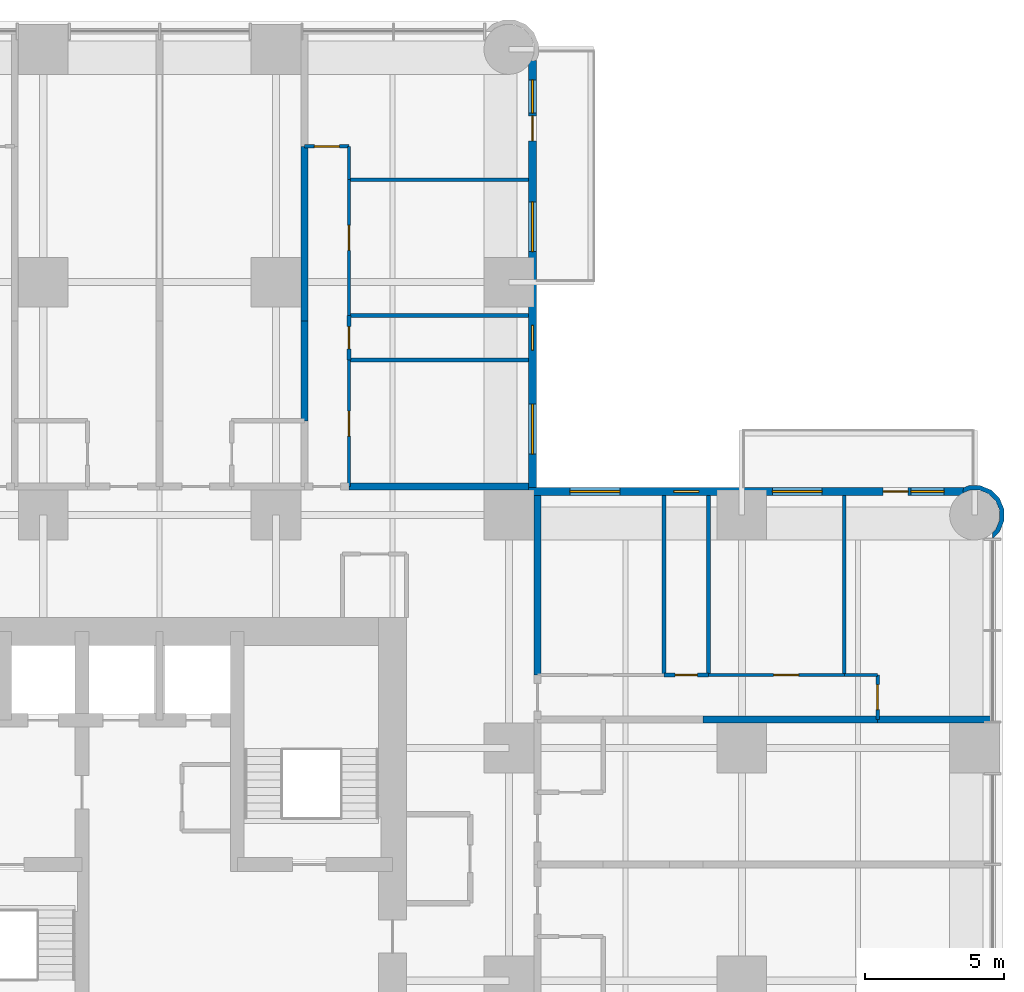
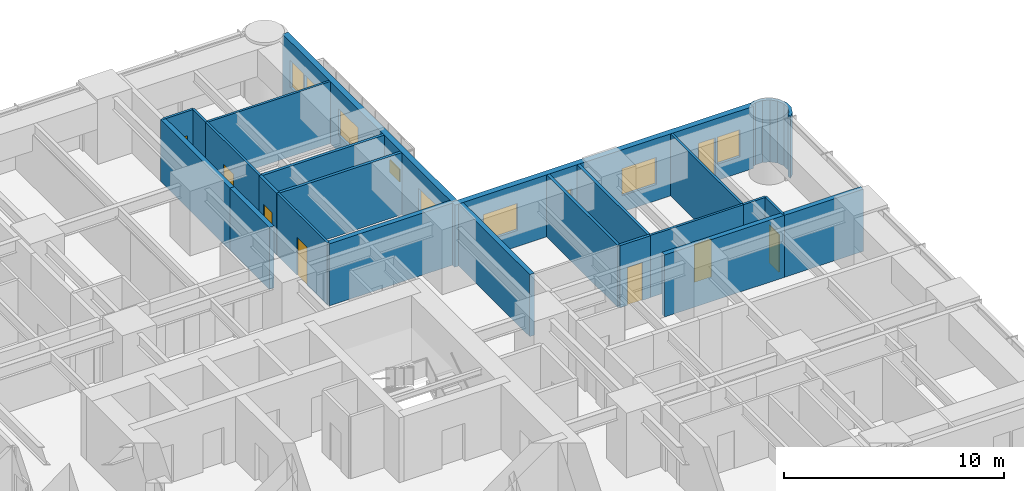
# One storey, part 14 of 17: 24 walls, 9 doors, 8 windows, 17 openings.
"""IFC4 building model written with IfcOpenShell, lengths in metres."""

from ifc_helpers import new_model, si_unit, direction, frame, frame_2d, origin, place, context, subcontext, project, spatial, polyline, rectangle, outline, extrude, material, layer, layer_set, type_object, element, fill, save


model = new_model("IFC4")

# Units and contexts
model_context = context("Model", 3, precision=1e-05, world=origin(), true_north=direction((0.0, 1.0)))
body_context = subcontext(model_context, "Body", "Model", "MODEL_VIEW")
ifc_project = project(units=[si_unit("LENGTHUNIT", "METRE"), si_unit("AREAUNIT", "SQUARE_METRE"), si_unit("VOLUMEUNIT", "CUBIC_METRE"), si_unit("PLANEANGLEUNIT", "RADIAN"), si_unit("MASSUNIT", "GRAM", prefix="KILO")], contexts=[model_context])

# Site, building, storey
site_placement = place(None, origin())
site = spatial("IfcSite", under=ifc_project, at=site_placement, CompositionType="ELEMENT")
building_placement = place(site_placement, origin())
building = spatial("IfcBuilding", under=site, at=building_placement, Name="Torre Alcanfor", CompositionType="ELEMENT")
storey_placement = place(building_placement, frame((0.0, 0.0, 88.5)))
storey = spatial("IfcBuildingStorey", under=building, at=storey_placement, Name="L22", CompositionType="ELEMENT", Elevation=88.5)

# Walls
ifc_material_1 = material(Name="Concrete block masonry, hollow blocks NMX-C-404 9 MPa", Category="masonry")
ifc_layer_1 = layer(ifc_material_1, 0.25)
ifc_layer_set_1 = layer_set([ifc_layer_1], Name="Apartment entrance wall 250 EI 60")
wall_type_1 = type_object("IfcWallType", Name="Apartment entrance wall 250 EI 60", PredefinedType="PARTITIONING", material=ifc_layer_set_1)
for number, where, z_axis, x_axis, name in (
    (1, (36.22900390625, 43.02490234375, 0.0), (0.0, 0.0, 1.0), (1.0, 0.0, 0.0), "Partition L22-CORR / L22-N2B-BED2"),
    (2, (43.02490234375, 42.699951171875, 0.0), (0.0, 0.0, 1.0), (0.0, -1.0, 0.0), "Partition L22-CORR / L22-E1B-BED2"),
):
    element("IfcWall", number, at=place(storey_placement, frame(where, z_axis=z_axis, x_axis=x_axis)), inside=storey, type_object=wall_type_1, Name=name, PredefinedType="PARTITIONING", context=body_context, shape_type="SweptSolid", body=[
        extrude(rectangle(XDim=6.470947265625, YDim=0.25, at=frame_2d((3.2353515625, 0.0))), origin(), (0.0, 0.0, 1.0), 3.449951171875),
    ])

# Wall, opening, door
ifc_material_2 = material(Name="Gypsum board on steel studs", Category="steel")
ifc_layer_2 = layer(ifc_material_2, 0.1201171875)
ifc_layer_set_2 = layer_set([ifc_layer_2], Name="Apartment partition 120")
wall_type_2 = type_object("IfcWallType", Name="Apartment partition 120", PredefinedType="PARTITIONING", material=ifc_layer_set_2)
wall_1_placement = place(storey_placement, frame((36.22900390625, 47.60009765625, 0.0), z_axis=(0.0, 0.0, 1.0), x_axis=(0.0, -1.0, 0.0)))
wall_1 = element("IfcWall", 3, at=wall_1_placement, inside=storey, type_object=wall_type_2, Name="Partition L22-N2B-HALL / L22-N2B-BED2", PredefinedType="PARTITIONING", context=body_context, shape_type="SweptSolid", body=[
    extrude(rectangle(XDim=4.5751953125, YDim=0.1201171875, at=frame_2d((2.28759765625, 0.0))), origin(), (0.0, 0.0, 1.0), 3.449951171875),
])
opening_1_placement = place(wall_1_placement, frame((1.85009765625, 0.0, 0.0)))
opening_1 = element("IfcOpeningElement", 4, at=opening_1_placement, cuts=wall_1, Name="Opening D-R1", PredefinedType="OPENING", context=body_context, shape_type="SweptSolid", body=[
    extrude(rectangle(XDim=0.89990234375, YDim=2.10009765625, at=frame_2d((0.449951171875, 1.050048828125))), frame((0.0, 0.070068359375, 0.0), z_axis=(0.0, -1.0, 0.0), x_axis=(1.0, 0.0, 0.0)), (0.0, 0.0, 1.0), 0.14013671875),
])
ifc_material_3 = material(Name="Timber", Category="wood")
door_type_1 = type_object("IfcDoorType", Name="Internal door 900x2100", OperationType="SINGLE_SWING_LEFT", PredefinedType="DOOR", material=ifc_material_3)
door_1_placement = place(opening_1_placement, origin())
door_1 = element("IfcDoor", 5, at=door_1_placement, inside=storey, type_object=door_type_1, Name="Door L22-N2B bed2", OperationType="SINGLE_SWING_RIGHT", OverallHeight=2.10009765625, OverallWidth=0.89990234375, PredefinedType="DOOR", context=body_context, shape_type="SweptSolid", body=[
    extrude(rectangle(XDim=0.89990234375, YDim=2.10009765625, at=frame_2d((0.449951171875, 1.050048828125))), frame((0.0, 0.02490234375, 0.0), z_axis=(0.0, -1.0, 0.0), x_axis=(1.0, 0.0, 0.0)), (0.0, 0.0, 1.0), 0.050048828125),
])
fill(opening_1, door_1)

wall_2_placement = place(storey_placement, frame((36.22900390625, 54.10009765625, 0.0), z_axis=(0.0, 0.0, 1.0), x_axis=(0.0, -1.0, 0.0)))
wall_2 = element("IfcWall", 6, at=wall_2_placement, inside=storey, type_object=wall_type_2, Name="Partition L22-N2B-HALL / L22-N2B-MASTER", PredefinedType="PARTITIONING", context=body_context, shape_type="SweptSolid", body=[
    extrude(rectangle(XDim=4.900146484375, YDim=0.1201171875, at=frame_2d((2.4501953125, 0.0))), origin(), (0.0, 0.0, 1.0), 3.449951171875),
])
opening_2_placement = place(wall_2_placement, frame((1.64990234375, 0.0, 0.0)))
opening_2 = element("IfcOpeningElement", 7, at=opening_2_placement, cuts=wall_2, Name="Opening D-R1", PredefinedType="OPENING", context=body_context, shape_type="SweptSolid", body=[
    extrude(rectangle(XDim=0.89990234375, YDim=2.10009765625, at=frame_2d((0.449951171875, 1.050048828125))), frame((0.0, 0.070068359375, 0.0), z_axis=(0.0, -1.0, 0.0), x_axis=(1.0, 0.0, 0.0)), (0.0, 0.0, 1.0), 0.14013671875),
])
door_2_placement = place(opening_2_placement, origin())
door_2 = element("IfcDoor", 8, at=door_2_placement, inside=storey, type_object=door_type_1, Name="Door L22-N2B master", OperationType="SINGLE_SWING_LEFT", OverallHeight=2.10009765625, OverallWidth=0.89990234375, PredefinedType="DOOR", context=body_context, shape_type="SweptSolid", body=[
    extrude(rectangle(XDim=0.89990234375, YDim=2.10009765625, at=frame_2d((0.449951171875, 1.050048828125))), frame((0.0, 0.02490234375, 0.0), z_axis=(0.0, -1.0, 0.0), x_axis=(1.0, 0.0, 0.0)), (0.0, 0.0, 1.0), 0.050048828125),
])
fill(opening_2, door_2)

# Wall
wall_3_placement = place(storey_placement, frame((36.22900390625, 55.300048828125, 0.0), z_axis=(0.0, 0.0, 1.0), x_axis=(0.0, -1.0, 0.0)))
element("IfcWall", 9, at=wall_3_placement, inside=storey, type_object=wall_type_2, Name="Partition L22-N2B-HALL / L22-N2B-KITCHEN", PredefinedType="PARTITIONING", context=body_context, shape_type="SweptSolid", body=[
    extrude(rectangle(XDim=1.199951171875, YDim=0.1201171875, at=frame_2d((0.60009765625, 0.0))), origin(), (0.0, 0.0, 1.0), 3.449951171875),
])

# Wall, opening, door
wall_4_placement = place(storey_placement, frame((34.62890625, 55.300048828125, 0.0), z_axis=(0.0, 0.0, 1.0), x_axis=(1.0, 0.0, 0.0)))
wall_4 = element("IfcWall", 10, at=wall_4_placement, inside=storey, type_object=wall_type_2, Name="Partition L22-N2B-HALL / L22-N2B-LIVING", PredefinedType="PARTITIONING", context=body_context, shape_type="SweptSolid", body=[
    extrude(rectangle(XDim=1.60009765625, YDim=0.1201171875, at=frame_2d((0.800048828125, 0.0))), origin(), (0.0, 0.0, 1.0), 3.449951171875),
])
opening_3_placement = place(wall_4_placement, frame((0.35009765625, 0.0, 0.0)))
opening_3 = element("IfcOpeningElement", 11, at=opening_3_placement, cuts=wall_4, Name="Opening D-R1", PredefinedType="OPENING", context=body_context, shape_type="SweptSolid", body=[
    extrude(rectangle(XDim=0.89990234375, YDim=2.10009765625, at=frame_2d((0.449951171875, 1.050048828125))), frame((0.0, 0.070068359375, 0.0), z_axis=(0.0, -1.0, 0.0), x_axis=(1.0, 0.0, 0.0)), (0.0, 0.0, 1.0), 0.14013671875),
])
door_3_placement = place(opening_3_placement, origin())
door_3 = element("IfcDoor", 12, at=door_3_placement, inside=storey, type_object=door_type_1, Name="Door L22-N2B living", OperationType="SINGLE_SWING_LEFT", OverallHeight=2.10009765625, OverallWidth=0.89990234375, PredefinedType="DOOR", context=body_context, shape_type="SweptSolid", body=[
    extrude(rectangle(XDim=0.89990234375, YDim=2.10009765625, at=frame_2d((0.449951171875, 1.050048828125))), frame((0.0, 0.02490234375, 0.0), z_axis=(0.0, -1.0, 0.0), x_axis=(1.0, 0.0, 0.0)), (0.0, 0.0, 1.0), 0.050048828125),
])
fill(opening_3, door_3)

# Wall
wall_5_placement = place(storey_placement, frame((36.22900390625, 54.10009765625, 0.0), z_axis=(0.0, 0.0, 1.0), x_axis=(1.0, 0.0, 0.0)))
element("IfcWall", 13, at=wall_5_placement, inside=storey, type_object=wall_type_2, Name="Partition L22-N2B-MASTER / L22-N2B-KITCHEN", PredefinedType="PARTITIONING", context=body_context, shape_type="SweptSolid", body=[
    extrude(rectangle(XDim=6.470947265625, YDim=0.1201171875, at=frame_2d((3.2353515625, 0.0))), origin(), (0.0, 0.0, 1.0), 3.449951171875),
])

# Wall, opening, door
wall_6_placement = place(storey_placement, frame((54.10009765625, 36.22900390625, 0.0), z_axis=(0.0, 0.0, 1.0), x_axis=(-1.0, 0.0, 0.0)))
wall_6 = element("IfcWall", 14, at=wall_6_placement, inside=storey, type_object=wall_type_2, Name="Partition L22-E1B-HALL / L22-E1B-MASTER", PredefinedType="PARTITIONING", context=body_context, shape_type="SweptSolid", body=[
    extrude(rectangle(XDim=4.900146484375, YDim=0.1201171875, at=frame_2d((2.4501953125, 0.0))), origin(), (0.0, 0.0, 1.0), 3.449951171875),
])
opening_4_placement = place(wall_6_placement, frame((1.64990234375, 0.0, 0.0)))
opening_4 = element("IfcOpeningElement", 15, at=opening_4_placement, cuts=wall_6, Name="Opening D-R1", PredefinedType="OPENING", context=body_context, shape_type="SweptSolid", body=[
    extrude(rectangle(XDim=0.89990234375, YDim=2.10009765625, at=frame_2d((0.449951171875, 1.050048828125))), frame((0.0, 0.070068359375, 0.0), z_axis=(0.0, -1.0, 0.0), x_axis=(1.0, 0.0, 0.0)), (0.0, 0.0, 1.0), 0.14013671875),
])
door_4_placement = place(opening_4_placement, frame((0.89990234375, 0.0, 0.0), z_axis=(0.0, 0.0, 1.0), x_axis=(-1.0, 0.0, 0.0)))
door_4 = element("IfcDoor", 16, at=door_4_placement, inside=storey, type_object=door_type_1, Name="Door L22-E1B master", OperationType="SINGLE_SWING_RIGHT", OverallHeight=2.10009765625, OverallWidth=0.89990234375, PredefinedType="DOOR", context=body_context, shape_type="SweptSolid", body=[
    extrude(rectangle(XDim=0.89990234375, YDim=2.10009765625, at=frame_2d((0.449951171875, 1.050048828125))), frame((0.0, 0.025146484375, 0.0), z_axis=(0.0, -1.0, 0.0), x_axis=(1.0, 0.0, 0.0)), (0.0, 0.0, 1.0), 0.050048828125),
])
fill(opening_4, door_4)

# Wall
wall_7_placement = place(storey_placement, frame((55.300048828125, 36.22900390625, 0.0), z_axis=(0.0, 0.0, 1.0), x_axis=(-1.0, 0.0, 0.0)))
element("IfcWall", 17, at=wall_7_placement, inside=storey, type_object=wall_type_2, Name="Partition L22-E1B-HALL / L22-E1B-KITCHEN", PredefinedType="PARTITIONING", context=body_context, shape_type="SweptSolid", body=[
    extrude(rectangle(XDim=1.199951171875, YDim=0.1201171875, at=frame_2d((0.60009765625, 0.0))), origin(), (0.0, 0.0, 1.0), 3.449951171875),
])

# Wall, opening, door
wall_8_placement = place(storey_placement, frame((55.300048828125, 34.62890625, 0.0), z_axis=(0.0, 0.0, 1.0), x_axis=(0.0, 1.0, 0.0)))
wall_8 = element("IfcWall", 18, at=wall_8_placement, inside=storey, type_object=wall_type_2, Name="Partition L22-E1B-HALL / L22-E1B-LIVING", PredefinedType="PARTITIONING", context=body_context, shape_type="SweptSolid", body=[
    extrude(rectangle(XDim=1.60009765625, YDim=0.1201171875, at=frame_2d((0.800048828125, 0.0))), origin(), (0.0, 0.0, 1.0), 3.449951171875),
])
opening_5_placement = place(wall_8_placement, frame((0.35009765625, 0.0, 0.0)))
opening_5 = element("IfcOpeningElement", 19, at=opening_5_placement, cuts=wall_8, Name="Opening D-R1", PredefinedType="OPENING", context=body_context, shape_type="SweptSolid", body=[
    extrude(rectangle(XDim=0.89990234375, YDim=2.10009765625, at=frame_2d((0.449951171875, 1.050048828125))), frame((0.0, 0.070068359375, 0.0), z_axis=(0.0, -1.0, 0.0), x_axis=(1.0, 0.0, 0.0)), (0.0, 0.0, 1.0), 0.14013671875),
])
door_5_placement = place(opening_5_placement, frame((0.89990234375, 0.0, 0.0), z_axis=(0.0, 0.0, 1.0), x_axis=(-1.0, 0.0, 0.0)))
door_5 = element("IfcDoor", 20, at=door_5_placement, inside=storey, type_object=door_type_1, Name="Door L22-E1B living", OperationType="SINGLE_SWING_RIGHT", OverallHeight=2.10009765625, OverallWidth=0.89990234375, PredefinedType="DOOR", context=body_context, shape_type="SweptSolid", body=[
    extrude(rectangle(XDim=0.89990234375, YDim=2.10009765625, at=frame_2d((0.449951171875, 1.050048828125))), frame((0.0, 0.025146484375, 0.0), z_axis=(0.0, -1.0, 0.0), x_axis=(1.0, 0.0, 0.0)), (0.0, 0.0, 1.0), 0.050048828125),
])
fill(opening_5, door_5)

# Wall
wall_9_placement = place(storey_placement, frame((54.10009765625, 36.22900390625, 0.0), z_axis=(0.0, 0.0, 1.0), x_axis=(0.0, 1.0, 0.0)))
element("IfcWall", 21, at=wall_9_placement, inside=storey, type_object=wall_type_2, Name="Partition L22-E1B-MASTER / L22-E1B-KITCHEN", PredefinedType="PARTITIONING", context=body_context, shape_type="SweptSolid", body=[
    extrude(rectangle(XDim=6.470947265625, YDim=0.1201171875, at=frame_2d((3.2353515625, 0.0))), origin(), (0.0, 0.0, 1.0), 3.449951171875),
])

# Wall, openings, door, windows
ifc_material_4 = material(Name="Limestone cladding", Category="masonry")
ifc_layer_3 = layer(ifc_material_4, 0.0400390625, Name="Facing")
ifc_material_5 = material(Name="Ventilated air cavity")
ifc_layer_4 = layer(ifc_material_5, 0.02001953125, ventilated=True, Name="Ventilated joint")
ifc_material_6 = material(Name="Mineral wool insulation", Category="insulation")
ifc_layer_5 = layer(ifc_material_6, 0.10009765625, Name="Insulation")
ifc_material_7 = material(Name="Concrete f'c 35 MPa", Category="concrete")
ifc_layer_6 = layer(ifc_material_7, 0.139892578125, Name="Backing")
ifc_layer_set_3 = layer_set([ifc_layer_3, ifc_layer_4, ifc_layer_5, ifc_layer_6], Name="External wall stone-clad 300")
wall_type_3 = type_object("IfcWallType", Name="External wall stone-clad 300", PredefinedType="SOLIDWALL", material=ifc_layer_set_3)
wall_10_placement = place(storey_placement, frame((58.39990234375, 42.85009765625, 0.0), z_axis=(0.0, 0.0, 1.0), x_axis=(-1.0, 0.0, 0.0)))
wall_10 = element("IfcWall", 22, at=wall_10_placement, inside=storey, type_object=wall_type_3, Name="External wall L22 9", PredefinedType="SOLIDWALL", context=body_context, shape_type="SweptSolid", body=[
    extrude(rectangle(XDim=15.699951171875, YDim=0.300048828125, at=frame_2d((7.85009765625, 0.0))), origin(), (0.0, 0.0, 1.0), 3.449951171875),
])
opening_6_placement = place(wall_10_placement, frame((12.39990234375, 0.0, 0.89990234375)))
opening_6 = element("IfcOpeningElement", 23, at=opening_6_placement, cuts=wall_10, Name="Opening W2", PredefinedType="OPENING", context=body_context, shape_type="SweptSolid", body=[
    extrude(rectangle(XDim=1.800048828125, YDim=1.5, at=frame_2d((0.89990234375, 0.75))), frame((0.0, 0.159912109375, 0.0), z_axis=(0.0, -1.0, 0.0), x_axis=(1.0, 0.0, 0.0)), (0.0, 0.0, 1.0), 0.320068359375),
])
opening_7_placement = place(wall_10_placement, frame((9.550048828125, 0.0, 1.5)))
opening_7 = element("IfcOpeningElement", 24, at=opening_7_placement, cuts=wall_10, Name="Opening W3", PredefinedType="OPENING", context=body_context, shape_type="SweptSolid", body=[
    extrude(rectangle(XDim=0.89990234375, YDim=0.699951171875, at=frame_2d((0.449951171875, 0.35009765625))), frame((0.0, 0.159912109375, 0.0), z_axis=(0.0, -1.0, 0.0), x_axis=(1.0, 0.0, 0.0)), (0.0, 0.0, 1.0), 0.320068359375),
])
opening_8_placement = place(wall_10_placement, frame((5.10009765625, 0.0, 0.89990234375)))
opening_8 = element("IfcOpeningElement", 25, at=opening_8_placement, cuts=wall_10, Name="Opening W2", PredefinedType="OPENING", context=body_context, shape_type="SweptSolid", body=[
    extrude(rectangle(XDim=1.800048828125, YDim=1.5, at=frame_2d((0.89990234375, 0.75))), frame((0.0, 0.159912109375, 0.0), z_axis=(0.0, -1.0, 0.0), x_axis=(1.0, 0.0, 0.0)), (0.0, 0.0, 1.0), 0.320068359375),
])
opening_9_placement = place(wall_10_placement, frame((2.0, 0.0, 0.0)))
opening_9 = element("IfcOpeningElement", 26, at=opening_9_placement, cuts=wall_10, Name="Opening D-B1", PredefinedType="OPENING", context=body_context, shape_type="SweptSolid", body=[
    extrude(rectangle(XDim=0.89990234375, YDim=2.39990234375, at=frame_2d((0.449951171875, 1.199951171875))), frame((0.0, 0.159912109375, 0.0), z_axis=(0.0, -1.0, 0.0), x_axis=(1.0, 0.0, 0.0)), (0.0, 0.0, 1.0), 0.320068359375),
])
opening_10_placement = place(wall_10_placement, frame((0.699951171875, 0.0, 0.89990234375)))
opening_10 = element("IfcOpeningElement", 27, at=opening_10_placement, cuts=wall_10, Name="Opening W4", PredefinedType="OPENING", context=body_context, shape_type="SweptSolid", body=[
    extrude(rectangle(XDim=1.199951171875, YDim=1.5, at=frame_2d((0.60009765625, 0.75))), frame((0.0, 0.159912109375, 0.0), z_axis=(0.0, -1.0, 0.0), x_axis=(1.0, 0.0, 0.0)), (0.0, 0.0, 1.0), 0.320068359375),
])
ifc_material_8 = material(Name="Aluminium and glass", Category="aluminium")
door_type_2 = type_object("IfcDoorType", Name="Balcony door glazed 900x2400", OperationType="SINGLE_SWING_LEFT", PredefinedType="DOOR", material=ifc_material_8)
door_6_placement = place(opening_9_placement, origin())
door_6 = element("IfcDoor", 28, at=door_6_placement, inside=storey, type_object=door_type_2, Name="Balcony door L22-E1", OperationType="SINGLE_SWING_RIGHT", OverallHeight=2.39990234375, OverallWidth=0.89990234375, PredefinedType="DOOR", context=body_context, shape_type="SweptSolid", body=[
    extrude(rectangle(XDim=0.89990234375, YDim=2.39990234375, at=frame_2d((0.449951171875, 1.199951171875))), frame((0.0, 0.02490234375, 0.0), z_axis=(0.0, -1.0, 0.0), x_axis=(1.0, 0.0, 0.0)), (0.0, 0.0, 1.0), 0.050048828125),
])
fill(opening_9, door_6)
ifc_material_9 = material(Name="Aluminium frame with clear double glazing", Category="aluminium")
window_type_1 = type_object("IfcWindowType", Name="Window bathroom 900x700", PartitioningType="SINGLE_PANEL", PredefinedType="WINDOW", material=ifc_material_9)
window_1_placement = place(opening_7_placement, origin())
window_1 = element("IfcWindow", 29, at=window_1_placement, inside=storey, type_object=window_type_1, Name="Window W3 L22-E1", OverallHeight=0.699951171875, OverallWidth=0.89990234375, PartitioningType="SINGLE_PANEL", PredefinedType="WINDOW", context=body_context, shape_type="SweptSolid", body=[
    extrude(rectangle(XDim=0.89990234375, YDim=0.699951171875, at=frame_2d((0.449951171875, 0.35009765625))), frame((0.0, 0.030029296875, 0.0), z_axis=(0.0, -1.0, 0.0), x_axis=(1.0, 0.0, 0.0)), (0.0, 0.0, 1.0), 0.06005859375),
])
fill(opening_7, window_1)
ifc_material_10 = material(Name="Aluminium frame with clear double glazing", Category="aluminium")
window_type_2 = type_object("IfcWindowType", Name="Window bedroom 1200x1500", PartitioningType="SINGLE_PANEL", PredefinedType="WINDOW", material=ifc_material_10)
window_2_placement = place(opening_10_placement, origin())
window_2 = element("IfcWindow", 30, at=window_2_placement, inside=storey, type_object=window_type_2, Name="Window W4 L22-E1", OverallHeight=1.5, OverallWidth=1.199951171875, PartitioningType="SINGLE_PANEL", PredefinedType="WINDOW", context=body_context, shape_type="SweptSolid", body=[
    extrude(rectangle(XDim=1.199951171875, YDim=1.5, at=frame_2d((0.60009765625, 0.75))), frame((0.0, 0.030029296875, 0.0), z_axis=(0.0, -1.0, 0.0), x_axis=(1.0, 0.0, 0.0)), (0.0, 0.0, 1.0), 0.06005859375),
])
fill(opening_10, window_2)
ifc_material_11 = material(Name="Aluminium frame with clear double glazing", Category="aluminium")
window_type_3 = type_object("IfcWindowType", Name="Window bedroom 1800x1500", PartitioningType="SINGLE_PANEL", PredefinedType="WINDOW", material=ifc_material_11)
window_3_placement = place(opening_6_placement, origin())
window_3 = element("IfcWindow", 31, at=window_3_placement, inside=storey, type_object=window_type_3, Name="Window W2 L22-E1", OverallHeight=1.5, OverallWidth=1.800048828125, PartitioningType="SINGLE_PANEL", PredefinedType="WINDOW", context=body_context, shape_type="SweptSolid", body=[
    extrude(rectangle(XDim=1.800048828125, YDim=1.5, at=frame_2d((0.89990234375, 0.75))), frame((0.0, 0.030029296875, 0.0), z_axis=(0.0, -1.0, 0.0), x_axis=(1.0, 0.0, 0.0)), (0.0, 0.0, 1.0), 0.06005859375),
])
fill(opening_6, window_3)
window_4_placement = place(opening_8_placement, origin())
window_4 = element("IfcWindow", 32, at=window_4_placement, inside=storey, type_object=window_type_3, Name="Window W2 L22-E1", OverallHeight=1.5, OverallWidth=1.800048828125, PartitioningType="SINGLE_PANEL", PredefinedType="WINDOW", context=body_context, shape_type="SweptSolid", body=[
    extrude(rectangle(XDim=1.800048828125, YDim=1.5, at=frame_2d((0.89990234375, 0.75))), frame((0.0, 0.030029296875, 0.0), z_axis=(0.0, -1.0, 0.0), x_axis=(1.0, 0.0, 0.0)), (0.0, 0.0, 1.0), 0.06005859375),
])
fill(opening_8, window_4)

wall_11_placement = place(storey_placement, frame((42.85009765625, 43.0, 0.0), z_axis=(0.0, 0.0, 1.0), x_axis=(0.0, 1.0, 0.0)))
wall_11 = element("IfcWall", 33, at=wall_11_placement, inside=storey, type_object=wall_type_3, Name="External wall L22 10", PredefinedType="SOLIDWALL", context=body_context, shape_type="SweptSolid", body=[
    extrude(rectangle(XDim=15.39990234375, YDim=0.300048828125, at=frame_2d((7.699951171875, 0.0))), origin(), (0.0, 0.0, 1.0), 3.449951171875),
])
opening_11_placement = place(wall_11_placement, frame((1.199951171875, 0.0, 0.89990234375)))
opening_11 = element("IfcOpeningElement", 34, at=opening_11_placement, cuts=wall_11, Name="Opening W2", PredefinedType="OPENING", context=body_context, shape_type="SweptSolid", body=[
    extrude(rectangle(XDim=1.800048828125, YDim=1.5, at=frame_2d((0.89990234375, 0.75))), frame((0.0, 0.159912109375, 0.0), z_axis=(0.0, -1.0, 0.0), x_axis=(1.0, 0.0, 0.0)), (0.0, 0.0, 1.0), 0.320068359375),
])
opening_12_placement = place(wall_11_placement, frame((4.949951171875, 0.0, 1.5)))
opening_12 = element("IfcOpeningElement", 35, at=opening_12_placement, cuts=wall_11, Name="Opening W3", PredefinedType="OPENING", context=body_context, shape_type="SweptSolid", body=[
    extrude(rectangle(XDim=0.89990234375, YDim=0.699951171875, at=frame_2d((0.449951171875, 0.35009765625))), frame((0.0, 0.159912109375, 0.0), z_axis=(0.0, -1.0, 0.0), x_axis=(1.0, 0.0, 0.0)), (0.0, 0.0, 1.0), 0.320068359375),
])
opening_13_placement = place(wall_11_placement, frame((8.5, 0.0, 0.89990234375)))
opening_13 = element("IfcOpeningElement", 36, at=opening_13_placement, cuts=wall_11, Name="Opening W2", PredefinedType="OPENING", context=body_context, shape_type="SweptSolid", body=[
    extrude(rectangle(XDim=1.800048828125, YDim=1.5, at=frame_2d((0.89990234375, 0.75))), frame((0.0, 0.159912109375, 0.0), z_axis=(0.0, -1.0, 0.0), x_axis=(1.0, 0.0, 0.0)), (0.0, 0.0, 1.0), 0.320068359375),
])
opening_14_placement = place(wall_11_placement, frame((12.5, 0.0, 0.0)))
opening_14 = element("IfcOpeningElement", 37, at=opening_14_placement, cuts=wall_11, Name="Opening D-B1", PredefinedType="OPENING", context=body_context, shape_type="SweptSolid", body=[
    extrude(rectangle(XDim=0.89990234375, YDim=2.39990234375, at=frame_2d((0.449951171875, 1.199951171875))), frame((0.0, 0.159912109375, 0.0), z_axis=(0.0, -1.0, 0.0), x_axis=(1.0, 0.0, 0.0)), (0.0, 0.0, 1.0), 0.320068359375),
])
opening_15_placement = place(wall_11_placement, frame((13.5, 0.0, 0.89990234375)))
opening_15 = element("IfcOpeningElement", 38, at=opening_15_placement, cuts=wall_11, Name="Opening W4", PredefinedType="OPENING", context=body_context, shape_type="SweptSolid", body=[
    extrude(rectangle(XDim=1.199951171875, YDim=1.5, at=frame_2d((0.60009765625, 0.75))), frame((0.0, 0.159912109375, 0.0), z_axis=(0.0, -1.0, 0.0), x_axis=(1.0, 0.0, 0.0)), (0.0, 0.0, 1.0), 0.320068359375),
])
door_7_placement = place(opening_14_placement, origin())
door_7 = element("IfcDoor", 39, at=door_7_placement, inside=storey, type_object=door_type_2, Name="Balcony door L22-N2", OperationType="SINGLE_SWING_LEFT", OverallHeight=2.39990234375, OverallWidth=0.89990234375, PredefinedType="DOOR", context=body_context, shape_type="SweptSolid", body=[
    extrude(rectangle(XDim=0.89990234375, YDim=2.39990234375, at=frame_2d((0.449951171875, 1.199951171875))), frame((0.0, 0.02490234375, 0.0), z_axis=(0.0, -1.0, 0.0), x_axis=(1.0, 0.0, 0.0)), (0.0, 0.0, 1.0), 0.050048828125),
])
fill(opening_14, door_7)
window_5_placement = place(opening_12_placement, origin())
window_5 = element("IfcWindow", 40, at=window_5_placement, inside=storey, type_object=window_type_1, Name="Window W3 L22-N2", OverallHeight=0.699951171875, OverallWidth=0.89990234375, PartitioningType="SINGLE_PANEL", PredefinedType="WINDOW", context=body_context, shape_type="SweptSolid", body=[
    extrude(rectangle(XDim=0.89990234375, YDim=0.699951171875, at=frame_2d((0.449951171875, 0.35009765625))), frame((0.0, 0.030029296875, 0.0), z_axis=(0.0, -1.0, 0.0), x_axis=(1.0, 0.0, 0.0)), (0.0, 0.0, 1.0), 0.06005859375),
])
fill(opening_12, window_5)
window_6_placement = place(opening_15_placement, origin())
window_6 = element("IfcWindow", 41, at=window_6_placement, inside=storey, type_object=window_type_2, Name="Window W4 L22-N2", OverallHeight=1.5, OverallWidth=1.199951171875, PartitioningType="SINGLE_PANEL", PredefinedType="WINDOW", context=body_context, shape_type="SweptSolid", body=[
    extrude(rectangle(XDim=1.199951171875, YDim=1.5, at=frame_2d((0.60009765625, 0.75))), frame((0.0, 0.030029296875, 0.0), z_axis=(0.0, -1.0, 0.0), x_axis=(1.0, 0.0, 0.0)), (0.0, 0.0, 1.0), 0.06005859375),
])
fill(opening_15, window_6)
window_7_placement = place(opening_11_placement, origin())
window_7 = element("IfcWindow", 42, at=window_7_placement, inside=storey, type_object=window_type_3, Name="Window W2 L22-N2", OverallHeight=1.5, OverallWidth=1.800048828125, PartitioningType="SINGLE_PANEL", PredefinedType="WINDOW", context=body_context, shape_type="SweptSolid", body=[
    extrude(rectangle(XDim=1.800048828125, YDim=1.5, at=frame_2d((0.89990234375, 0.75))), frame((0.0, 0.030029296875, 0.0), z_axis=(0.0, -1.0, 0.0), x_axis=(1.0, 0.0, 0.0)), (0.0, 0.0, 1.0), 0.06005859375),
])
fill(opening_11, window_7)
window_8_placement = place(opening_13_placement, origin())
window_8 = element("IfcWindow", 43, at=window_8_placement, inside=storey, type_object=window_type_3, Name="Window W2 L22-N2", OverallHeight=1.5, OverallWidth=1.800048828125, PartitioningType="SINGLE_PANEL", PredefinedType="WINDOW", context=body_context, shape_type="SweptSolid", body=[
    extrude(rectangle(XDim=1.800048828125, YDim=1.5, at=frame_2d((0.89990234375, 0.75))), frame((0.0, 0.030029296875, 0.0), z_axis=(0.0, -1.0, 0.0), x_axis=(1.0, 0.0, 0.0)), (0.0, 0.0, 1.0), 0.06005859375),
])
fill(opening_13, window_8)

# Walls
ifc_material_12 = material(Name="Concrete block masonry, hollow blocks NMX-C-404 9 MPa", Category="masonry")
ifc_layer_7 = layer(ifc_material_12, 0.25)
ifc_layer_set_4 = layer_set([ifc_layer_7], Name="Party wall 250 EI 60")
wall_type_4 = type_object("IfcWallType", Name="Party wall 250 EI 60", PredefinedType="PARTITIONING", material=ifc_layer_set_4)
wall_12_placement = place(storey_placement, frame((34.62890625, 49.0, 0.0), z_axis=(0.0, 0.0, 1.0), x_axis=(0.0, -1.0, 0.0)))
element("IfcWall", 44, at=wall_12_placement, inside=storey, type_object=wall_type_4, Name="Partition L22-N2A-KITCHEN / L22-N2B-HALL", PredefinedType="PARTITIONING", context=body_context, shape_type="SweptSolid", body=[
    extrude(rectangle(XDim=3.60009765625, YDim=0.25, at=frame_2d((1.800048828125, 0.0))), origin(), (0.0, 0.0, 1.0), 3.449951171875),
])
for number, where, z_axis, x_axis, name in (
    (45, (34.62890625, 55.300048828125, 0.0), (0.0, 0.0, 1.0), (0.0, -1.0, 0.0), "Partition L22-N2A-STUDIO / L22-N2B-HALL"),
    (46, (55.300048828125, 34.62890625, 0.0), (0.0, 0.0, 1.0), (-1.0, 0.0, 0.0), "Partition L22-E1A-STUDIO / L22-E1B-HALL"),
):
    element("IfcWall", number, at=place(storey_placement, frame(where, z_axis=z_axis, x_axis=x_axis)), inside=storey, type_object=wall_type_4, Name=name, PredefinedType="PARTITIONING", context=body_context, shape_type="SweptSolid", body=[
        extrude(rectangle(XDim=6.300048828125, YDim=0.25, at=frame_2d((3.14990234375, 0.0))), origin(), (0.0, 0.0, 1.0), 3.449951171875),
    ])
wall_13_placement = place(storey_placement, frame((59.449951171875, 34.62890625, 0.0), z_axis=(0.0, 0.0, 1.0), x_axis=(-1.0, 0.0, 0.0)))
element("IfcWall", 47, at=wall_13_placement, inside=storey, type_object=wall_type_4, Name="Partition L22-E1A-STUDIO / L22-E1B-LIVING", PredefinedType="PARTITIONING", context=body_context, shape_type="SweptSolid", body=[
    extrude(rectangle(XDim=4.14990234375, YDim=0.25, at=frame_2d((2.074951171875, 0.0))), origin(), (0.0, 0.0, 1.0), 3.449951171875),
])
ifc_layer_8 = layer(ifc_material_4, 0.0400390625, Name="Facing")
ifc_layer_9 = layer(ifc_material_5, 0.02001953125, ventilated=True, Name="Ventilated joint")
ifc_layer_10 = layer(ifc_material_6, 0.10009765625, Name="Insulation")
ifc_layer_11 = layer(ifc_material_7, 0.139892578125, Name="Backing")
ifc_layer_set_5 = layer_set([ifc_layer_8, ifc_layer_9, ifc_layer_10, ifc_layer_11], Name="Rounded corner pier stone-clad 300")
wall_type_5 = type_object("IfcWallType", Name="Rounded corner pier stone-clad 300", PredefinedType="SOLIDWALL", material=ifc_layer_set_5)
wall_14_placement = place(storey_placement, frame((59.410519256, 41.23340608, 0.0), z_axis=(0.0, 0.0, 1.0), x_axis=(0.926129809145, 0.377204953059, 0.0)))
element("IfcWall", 48, at=wall_14_placement, inside=storey, type_object=wall_type_5, Name="Corner pier L22 18", PredefinedType="SOLIDWALL", context=body_context, shape_type="SweptSolid", body=[
    extrude(outline(polyline([(0.6260654471319579, 0.34524919711057256), (0.7850146045978224, 0.7355079985228963), (0.7823098124660501, 1.1573373086599013), (0.6187697625812524, 1.546081906916958), (0.31877691555394516, 1.8425152342918512), (-0.07170799176881437, 2.0015564828107086), (-0.24004949470661174, 2.000526523212158), (-0.2695944713928893, 2.0173049949130335), (-0.36998902843916337, 1.8407134525266757), (-0.10235758996356603, 1.8421635923174307), (0.22956588655630128, 1.7069739265237522), (0.4845024203782949, 1.4552530429107593), (0.6236098424040335, 1.1249645948716174), (0.6257138051575375, 0.7663837026280839), (0.49052413936385914, 0.43446022610821644), (0.23848505878743742, 0.1793896774287799), (0.09020527382959523, 0.11693875386038477), (0.010914877202648991, -0.0777384350249053), (0.02448123182880161, -0.08326389820448342), (0.32940601384662893, 0.045348441136258355), (0.47997135267738844, 0.19755163478368112), (0.49907282709518125, 0.19267151555903828), (0.5076193949673722, 0.22530566424262682), (0.6260654471319579, 0.34524919711057256)])), origin(), (0.0, 0.0, 1.0), 3.449951171875),
])

# Wall, opening, door
ifc_material_13 = material(Name="Cement board on steel studs", Category="steel")
ifc_layer_12 = layer(ifc_material_13, 0.14990234375)
ifc_layer_set_6 = layer_set([ifc_layer_12], Name="Wet area partition 150")
wall_type_6 = type_object("IfcWallType", Name="Wet area partition 150", PredefinedType="PARTITIONING", material=ifc_layer_set_6)
wall_15_placement = place(storey_placement, frame((36.22900390625, 49.199951171875, 0.0), z_axis=(0.0, 0.0, 1.0), x_axis=(0.0, -1.0, 0.0)))
wall_15 = element("IfcWall", 49, at=wall_15_placement, inside=storey, type_object=wall_type_6, Name="Partition L22-N2B-HALL / L22-N2B-BATH", PredefinedType="PARTITIONING", context=body_context, shape_type="SweptSolid", body=[
    extrude(rectangle(XDim=1.599853515625, YDim=0.14990234375, at=frame_2d((0.7998046875, 0.0))), origin(), (0.0, 0.0, 1.0), 3.449951171875),
])
opening_16_placement = place(wall_15_placement, frame((0.39990234375, 0.0, 0.0)))
opening_16 = element("IfcOpeningElement", 50, at=opening_16_placement, cuts=wall_15, Name="Opening D-R2", PredefinedType="OPENING", context=body_context, shape_type="SweptSolid", body=[
    extrude(rectangle(XDim=0.800048828125, YDim=2.10009765625, at=frame_2d((0.39990234375, 1.050048828125))), frame((0.0, 0.0849609375, 0.0), z_axis=(0.0, -1.0, 0.0), x_axis=(1.0, 0.0, 0.0)), (0.0, 0.0, 1.0), 0.169921875),
])
ifc_material_14 = material(Name="Timber", Category="wood")
door_type_3 = type_object("IfcDoorType", Name="Bathroom door 800x2100", OperationType="SINGLE_SWING_LEFT", PredefinedType="DOOR", material=ifc_material_14)
door_8_placement = place(opening_16_placement, origin())
door_8 = element("IfcDoor", 51, at=door_8_placement, inside=storey, type_object=door_type_3, Name="Door L22-N2B bath", OperationType="SINGLE_SWING_LEFT", OverallHeight=2.10009765625, OverallWidth=0.800048828125, PredefinedType="DOOR", context=body_context, shape_type="SweptSolid", body=[
    extrude(rectangle(XDim=0.800048828125, YDim=2.10009765625, at=frame_2d((0.39990234375, 1.050048828125))), frame((0.0, 0.02490234375, 0.0), z_axis=(0.0, -1.0, 0.0), x_axis=(1.0, 0.0, 0.0)), (0.0, 0.0, 1.0), 0.050048828125),
])
fill(opening_16, door_8)

# Walls
for number, where, z_axis, x_axis, name in (
    (52, (36.22900390625, 47.60009765625, 0.0), (0.0, 0.0, 1.0), (1.0, 0.0, 0.0), "Partition L22-N2B-BED2 / L22-N2B-BATH"),
    (53, (36.22900390625, 49.199951171875, 0.0), (0.0, 0.0, 1.0), (1.0, 0.0, 0.0), "Partition L22-N2B-BATH / L22-N2B-MASTER"),
):
    element("IfcWall", number, at=place(storey_placement, frame(where, z_axis=z_axis, x_axis=x_axis)), inside=storey, type_object=wall_type_6, Name=name, PredefinedType="PARTITIONING", context=body_context, shape_type="SweptSolid", body=[
        extrude(rectangle(XDim=6.470947265625, YDim=0.14990234375, at=frame_2d((3.2353515625, 0.0))), origin(), (0.0, 0.0, 1.0), 3.449951171875),
    ])

# Wall, opening, door
wall_16_placement = place(storey_placement, frame((49.199951171875, 36.22900390625, 0.0), z_axis=(0.0, 0.0, 1.0), x_axis=(-1.0, 0.0, 0.0)))
wall_16 = element("IfcWall", 54, at=wall_16_placement, inside=storey, type_object=wall_type_6, Name="Partition L22-E1B-HALL / L22-E1B-BATH", PredefinedType="PARTITIONING", context=body_context, shape_type="SweptSolid", body=[
    extrude(rectangle(XDim=1.599853515625, YDim=0.14990234375, at=frame_2d((0.7998046875, 0.0))), origin(), (0.0, 0.0, 1.0), 3.449951171875),
])
opening_17_placement = place(wall_16_placement, frame((0.39990234375, 0.0, 0.0)))
opening_17 = element("IfcOpeningElement", 55, at=opening_17_placement, cuts=wall_16, Name="Opening D-R2", PredefinedType="OPENING", context=body_context, shape_type="SweptSolid", body=[
    extrude(rectangle(XDim=0.800048828125, YDim=2.10009765625, at=frame_2d((0.39990234375, 1.050048828125))), frame((0.0, 0.0849609375, 0.0), z_axis=(0.0, -1.0, 0.0), x_axis=(1.0, 0.0, 0.0)), (0.0, 0.0, 1.0), 0.169921875),
])
door_9_placement = place(opening_17_placement, frame((0.800048828125, 0.0, 0.0), z_axis=(0.0, 0.0, 1.0), x_axis=(-1.0, 0.0, 0.0)))
door_9 = element("IfcDoor", 56, at=door_9_placement, inside=storey, type_object=door_type_3, Name="Door L22-E1B bath", OperationType="SINGLE_SWING_RIGHT", OverallHeight=2.10009765625, OverallWidth=0.800048828125, PredefinedType="DOOR", context=body_context, shape_type="SweptSolid", body=[
    extrude(rectangle(XDim=0.800048828125, YDim=2.10009765625, at=frame_2d((0.400146484375, 1.050048828125))), frame((0.0, 0.025146484375, 0.0), z_axis=(0.0, -1.0, 0.0), x_axis=(1.0, 0.0, 0.0)), (0.0, 0.0, 1.0), 0.050048828125),
])
fill(opening_17, door_9)

# Walls
for number, where, z_axis, x_axis, name in (
    (57, (47.60009765625, 36.22900390625, 0.0), (0.0, 0.0, 1.0), (0.0, 1.0, 0.0), "Partition L22-E1B-BED2 / L22-E1B-BATH"),
    (58, (49.199951171875, 36.22900390625, 0.0), (0.0, 0.0, 1.0), (0.0, 1.0, 0.0), "Partition L22-E1B-BATH / L22-E1B-MASTER"),
):
    element("IfcWall", number, at=place(storey_placement, frame(where, z_axis=z_axis, x_axis=x_axis)), inside=storey, type_object=wall_type_6, Name=name, PredefinedType="PARTITIONING", context=body_context, shape_type="SweptSolid", body=[
        extrude(rectangle(XDim=6.470947265625, YDim=0.14990234375, at=frame_2d((3.2353515625, 0.0))), origin(), (0.0, 0.0, 1.0), 3.449951171875),
    ])

save(model, "model.ifc")
